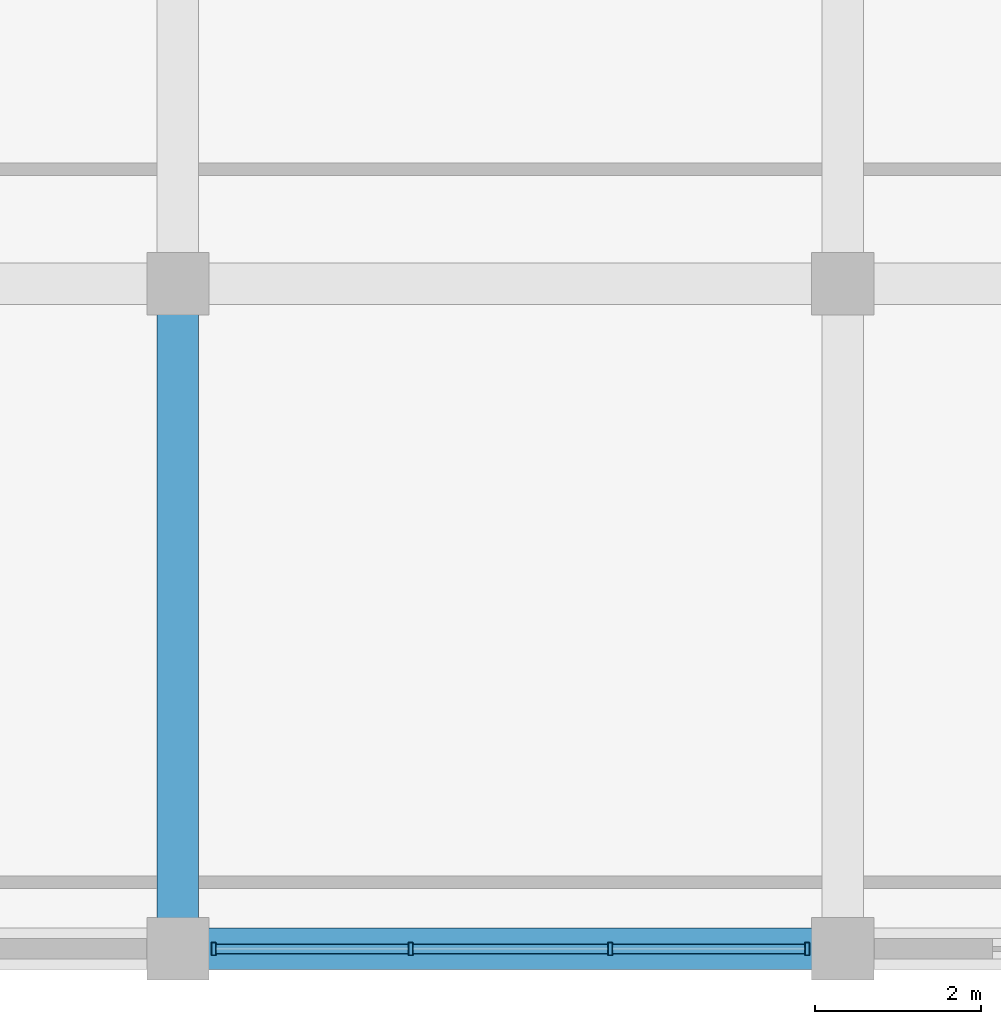
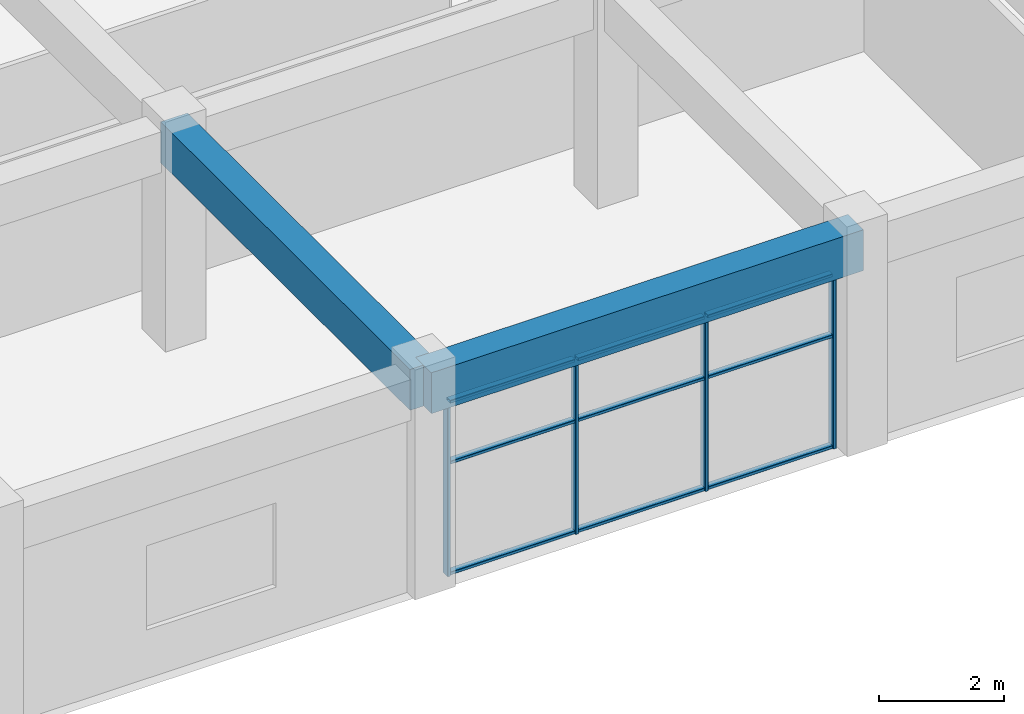
# One storey, part 8 of 53: 13 members, 2 beams, 1 element without a shape of its own.
"""IFC4 building model written with IfcOpenShell, lengths in metres."""

from ifc_helpers import new_model, si_unit, direction, frame, origin, origin_2d, place, context, subcontext, project, spatial, rectangle, hollow_rectangle, extrude, material, layer, layer_set, material_profile, profile_set, type_object, element, aggregate, save


model = new_model("IFC4")

# Units and contexts
model_context = context("Model", 3, precision=1e-05, world=origin(), true_north=direction((0.0, 1.0)))
body_context = subcontext(model_context, "Body", "Model", "MODEL_VIEW")
ifc_project = project(units=[si_unit("LENGTHUNIT", "METRE"), si_unit("AREAUNIT", "SQUARE_METRE"), si_unit("VOLUMEUNIT", "CUBIC_METRE"), si_unit("PLANEANGLEUNIT", "RADIAN"), si_unit("MASSUNIT", "GRAM", prefix="KILO")], contexts=[model_context])

# Site, building, storey
site_placement = place(None, origin())
site = spatial("IfcSite", under=ifc_project, at=site_placement, CompositionType="ELEMENT")
building_placement = place(site_placement, origin())
building = spatial("IfcBuilding", under=site, at=building_placement, Name="Kelanora Arch Commons", CompositionType="ELEMENT")
storey_placement = place(building_placement, frame((0.0, 0.0, 9.0)))
storey = spatial("IfcBuildingStorey", under=building, at=storey_placement, Name="L02", CompositionType="ELEMENT", Elevation=9.0)

# Beams
ifc_material_1 = material(Name="Concrete C40/50", Category="concrete")
ifc_material_profile_1 = material_profile(ifc_material_1, rectangle(XDim=0.5, YDim=0.800048828125, at=origin_2d()), Name="RCB500x800")
ifc_profile_set_1 = profile_set([ifc_material_profile_1], Name="Concrete C40/50")
beam_type = type_object("IfcBeamType", Name="BM-MKT-RC1", PredefinedType="BEAM", material=ifc_profile_set_1)
for number, where, z_axis, x_axis, name in (
    (1, (60.0, 4.0, 3.840087890625), (1.0, 0.0, 0.0), (0.0, 1.0, 0.0), "Market/Basement Frame Beam 108 L02"),
    (2, (60.0, 4.0, 3.840087890625), (0.0, 1.0, 0.0), (-1.0, 0.0, 0.0), "Market/Basement Frame Beam 109 L02"),
):
    element("IfcBeam", number, at=place(storey_placement, frame(where, z_axis=z_axis, x_axis=x_axis)), inside=storey, type_object=beam_type, Name=name, PredefinedType="BEAM", context=body_context, shape_type="SweptSolid", body=[
        extrude(rectangle(XDim=0.5, YDim=0.800048828125, at=origin_2d()), origin(), (0.0, 0.0, 1.0), 8.0),
    ])

# Curtain wall, members
ifc_material_2 = material(Name="Terracotta ceramic-fritted low-E glass and aluminium", Category="masonry")
ifc_layer = layer(ifc_material_2, 0.16796875)
ifc_layer_set = layer_set([ifc_layer], Name="Terracotta ceramic-fritted low-E glass and aluminium")
curtain_wall_type = type_object("IfcCurtainWallType", Name="CW-SYS-07", PredefinedType="NOTDEFINED", material=ifc_layer_set)
curtain_wall_placement = place(storey_placement, origin())
curtain_wall = element("IfcCurtainWall", 3, at=curtain_wall_placement, inside=storey, type_object=curtain_wall_type, Name="Market Hall Arcade Curtain Wall L02-07", PredefinedType="NOTDEFINED")
ifc_material_3 = material(Name="Powder-coated aluminium terracotta", Category="masonry")
ifc_material_profile_2 = material_profile(ifc_material_3, hollow_rectangle(XDim=0.159912109375, YDim=0.06005859375, WallThickness=0.0048828125, InnerFilletRadius=0.0048828125, OuterFilletRadius=0.010009765625, at=origin_2d()), Name="CWM160x60")
ifc_profile_set_2 = profile_set([ifc_material_profile_2], Name="Powder-coated aluminium terracotta")
member_type_1 = type_object("IfcMemberType", Name="CWM-STD", PredefinedType="MULLION", material=ifc_profile_set_2)
member_1_placement = place(storey_placement, frame((60.429931640625, 4.0, 0.0), z_axis=(0.0, 0.0, 1.0), x_axis=(0.0, 1.0, 0.0)))
member_1 = element("IfcMember", 4, at=member_1_placement, type_object=member_type_1, Name="CW-07 mullion 1", PredefinedType="MULLION", context=body_context, shape_type="SweptSolid", body=[
    extrude(hollow_rectangle(XDim=0.159912109375, YDim=0.06005859375, WallThickness=0.0048828125, InnerFilletRadius=0.0048828125, OuterFilletRadius=0.010009765625, at=origin_2d()), origin(), (0.0, 0.0, 1.0), 3.419921875),
])
member_2_placement = place(storey_placement, frame((62.800048828125, 4.0, 0.0), z_axis=(0.0, 0.0, 1.0), x_axis=(0.0, 1.0, 0.0)))
member_2 = element("IfcMember", 5, at=member_2_placement, type_object=member_type_1, Name="CW-07 mullion 2", PredefinedType="MULLION", context=body_context, shape_type="SweptSolid", body=[
    extrude(hollow_rectangle(XDim=0.159912109375, YDim=0.06005859375, WallThickness=0.0048828125, InnerFilletRadius=0.0048828125, OuterFilletRadius=0.010009765625, at=origin_2d()), origin(), (0.0, 0.0, 1.0), 3.419921875),
])
member_3_placement = place(storey_placement, frame((65.199951171875, 4.0, 0.0), z_axis=(0.0, 0.0, 1.0), x_axis=(0.0, 1.0, 0.0)))
member_3 = element("IfcMember", 6, at=member_3_placement, type_object=member_type_1, Name="CW-07 mullion 3", PredefinedType="MULLION", context=body_context, shape_type="SweptSolid", body=[
    extrude(hollow_rectangle(XDim=0.159912109375, YDim=0.06005859375, WallThickness=0.0048828125, InnerFilletRadius=0.0048828125, OuterFilletRadius=0.010009765625, at=origin_2d()), origin(), (0.0, 0.0, 1.0), 3.419921875),
])
member_4_placement = place(storey_placement, frame((67.570068359375, 4.0, 0.0), z_axis=(0.0, 0.0, 1.0), x_axis=(0.0, 1.0, 0.0)))
member_4 = element("IfcMember", 7, at=member_4_placement, type_object=member_type_1, Name="CW-07 mullion 4", PredefinedType="MULLION", context=body_context, shape_type="SweptSolid", body=[
    extrude(hollow_rectangle(XDim=0.159912109375, YDim=0.06005859375, WallThickness=0.0048828125, InnerFilletRadius=0.0048828125, OuterFilletRadius=0.010009765625, at=origin_2d()), origin(), (0.0, 0.0, 1.0), 3.419921875),
])
ifc_material_profile_3 = material_profile(ifc_material_3, hollow_rectangle(XDim=0.1201171875, YDim=0.06005859375, WallThickness=0.0048828125, InnerFilletRadius=0.0048828125, OuterFilletRadius=0.010009765625, at=origin_2d()), Name="CWT120x60")
ifc_profile_set_3 = profile_set([ifc_material_profile_3], Name="Powder-coated aluminium terracotta")
member_type_2 = type_object("IfcMemberType", Name="CWT-STD", PredefinedType="USERDEFINED", material=ifc_profile_set_3)
member_5_placement = place(storey_placement, frame((60.4599609375, 4.0, 0.030029296875), z_axis=(1.0, 0.0, 0.0), x_axis=(0.0, 1.0, 0.0)))
member_5 = element("IfcMember", 8, at=member_5_placement, type_object=member_type_2, Name="CW-07 transom 1.1", ObjectType="TRANSOM", PredefinedType="USERDEFINED", context=body_context, shape_type="SweptSolid", body=[
    extrude(hollow_rectangle(XDim=0.1201171875, YDim=0.06005859375, WallThickness=0.0048828125, InnerFilletRadius=0.0048828125, OuterFilletRadius=0.010009765625, at=origin_2d()), origin(), (0.0, 0.0, 1.0), 2.31005859375),
])
member_6_placement = place(storey_placement, frame((60.4599609375, 4.0, 2.199951171875), z_axis=(1.0, 0.0, 0.0), x_axis=(0.0, 1.0, 0.0)))
member_6 = element("IfcMember", 9, at=member_6_placement, type_object=member_type_2, Name="CW-07 transom 1.2", ObjectType="TRANSOM", PredefinedType="USERDEFINED", context=body_context, shape_type="SweptSolid", body=[
    extrude(hollow_rectangle(XDim=0.1201171875, YDim=0.06005859375, WallThickness=0.0048828125, InnerFilletRadius=0.0048828125, OuterFilletRadius=0.010009765625, at=origin_2d()), origin(), (0.0, 0.0, 1.0), 2.31005859375),
])
member_7_placement = place(storey_placement, frame((60.4599609375, 4.0, 3.389892578125), z_axis=(1.0, 0.0, 0.0), x_axis=(0.0, 1.0, 0.0)))
member_7 = element("IfcMember", 10, at=member_7_placement, type_object=member_type_2, Name="CW-07 transom 1.3", ObjectType="TRANSOM", PredefinedType="USERDEFINED", context=body_context, shape_type="SweptSolid", body=[
    extrude(hollow_rectangle(XDim=0.1201171875, YDim=0.06005859375, WallThickness=0.0048828125, InnerFilletRadius=0.0048828125, OuterFilletRadius=0.010009765625, at=origin_2d()), origin(), (0.0, 0.0, 1.0), 2.31005859375),
])
member_8_placement = place(storey_placement, frame((62.830078125, 4.0, 0.030029296875), z_axis=(1.0, 0.0, 0.0), x_axis=(0.0, 1.0, 0.0)))
member_8 = element("IfcMember", 11, at=member_8_placement, type_object=member_type_2, Name="CW-07 transom 2.1", ObjectType="TRANSOM", PredefinedType="USERDEFINED", context=body_context, shape_type="SweptSolid", body=[
    extrude(hollow_rectangle(XDim=0.1201171875, YDim=0.06005859375, WallThickness=0.0048828125, InnerFilletRadius=0.0048828125, OuterFilletRadius=0.010009765625, at=origin_2d()), origin(), (0.0, 0.0, 1.0), 2.33984375),
])
member_9_placement = place(storey_placement, frame((62.830078125, 4.0, 2.199951171875), z_axis=(1.0, 0.0, 0.0), x_axis=(0.0, 1.0, 0.0)))
member_9 = element("IfcMember", 12, at=member_9_placement, type_object=member_type_2, Name="CW-07 transom 2.2", ObjectType="TRANSOM", PredefinedType="USERDEFINED", context=body_context, shape_type="SweptSolid", body=[
    extrude(hollow_rectangle(XDim=0.1201171875, YDim=0.06005859375, WallThickness=0.0048828125, InnerFilletRadius=0.0048828125, OuterFilletRadius=0.010009765625, at=origin_2d()), origin(), (0.0, 0.0, 1.0), 2.33984375),
])
member_10_placement = place(storey_placement, frame((62.830078125, 4.0, 3.389892578125), z_axis=(1.0, 0.0, 0.0), x_axis=(0.0, 1.0, 0.0)))
member_10 = element("IfcMember", 13, at=member_10_placement, type_object=member_type_2, Name="CW-07 transom 2.3", ObjectType="TRANSOM", PredefinedType="USERDEFINED", context=body_context, shape_type="SweptSolid", body=[
    extrude(hollow_rectangle(XDim=0.1201171875, YDim=0.06005859375, WallThickness=0.0048828125, InnerFilletRadius=0.0048828125, OuterFilletRadius=0.010009765625, at=origin_2d()), origin(), (0.0, 0.0, 1.0), 2.33984375),
])
member_11_placement = place(storey_placement, frame((65.22998046875, 4.0, 0.030029296875), z_axis=(1.0, 0.0, 0.0), x_axis=(0.0, 1.0, 0.0)))
member_11 = element("IfcMember", 14, at=member_11_placement, type_object=member_type_2, Name="CW-07 transom 3.1", ObjectType="TRANSOM", PredefinedType="USERDEFINED", context=body_context, shape_type="SweptSolid", body=[
    extrude(hollow_rectangle(XDim=0.1201171875, YDim=0.06005859375, WallThickness=0.0048828125, InnerFilletRadius=0.0048828125, OuterFilletRadius=0.010009765625, at=origin_2d()), origin(), (0.0, 0.0, 1.0), 2.31005859375),
])
member_12_placement = place(storey_placement, frame((65.22998046875, 4.0, 2.199951171875), z_axis=(1.0, 0.0, 0.0), x_axis=(0.0, 1.0, 0.0)))
member_12 = element("IfcMember", 15, at=member_12_placement, type_object=member_type_2, Name="CW-07 transom 3.2", ObjectType="TRANSOM", PredefinedType="USERDEFINED", context=body_context, shape_type="SweptSolid", body=[
    extrude(hollow_rectangle(XDim=0.1201171875, YDim=0.06005859375, WallThickness=0.0048828125, InnerFilletRadius=0.0048828125, OuterFilletRadius=0.010009765625, at=origin_2d()), origin(), (0.0, 0.0, 1.0), 2.31005859375),
])
member_13_placement = place(storey_placement, frame((65.22998046875, 4.0, 3.389892578125), z_axis=(1.0, 0.0, 0.0), x_axis=(0.0, 1.0, 0.0)))
member_13 = element("IfcMember", 16, at=member_13_placement, type_object=member_type_2, Name="CW-07 transom 3.3", ObjectType="TRANSOM", PredefinedType="USERDEFINED", context=body_context, shape_type="SweptSolid", body=[
    extrude(hollow_rectangle(XDim=0.1201171875, YDim=0.06005859375, WallThickness=0.0048828125, InnerFilletRadius=0.0048828125, OuterFilletRadius=0.010009765625, at=origin_2d()), origin(), (0.0, 0.0, 1.0), 2.31005859375),
])
aggregate(curtain_wall, [member_1, member_2, member_3, member_4, member_5, member_6, member_7, member_8, member_9, member_10, member_11, member_12, member_13])

save(model, "model.ifc")
